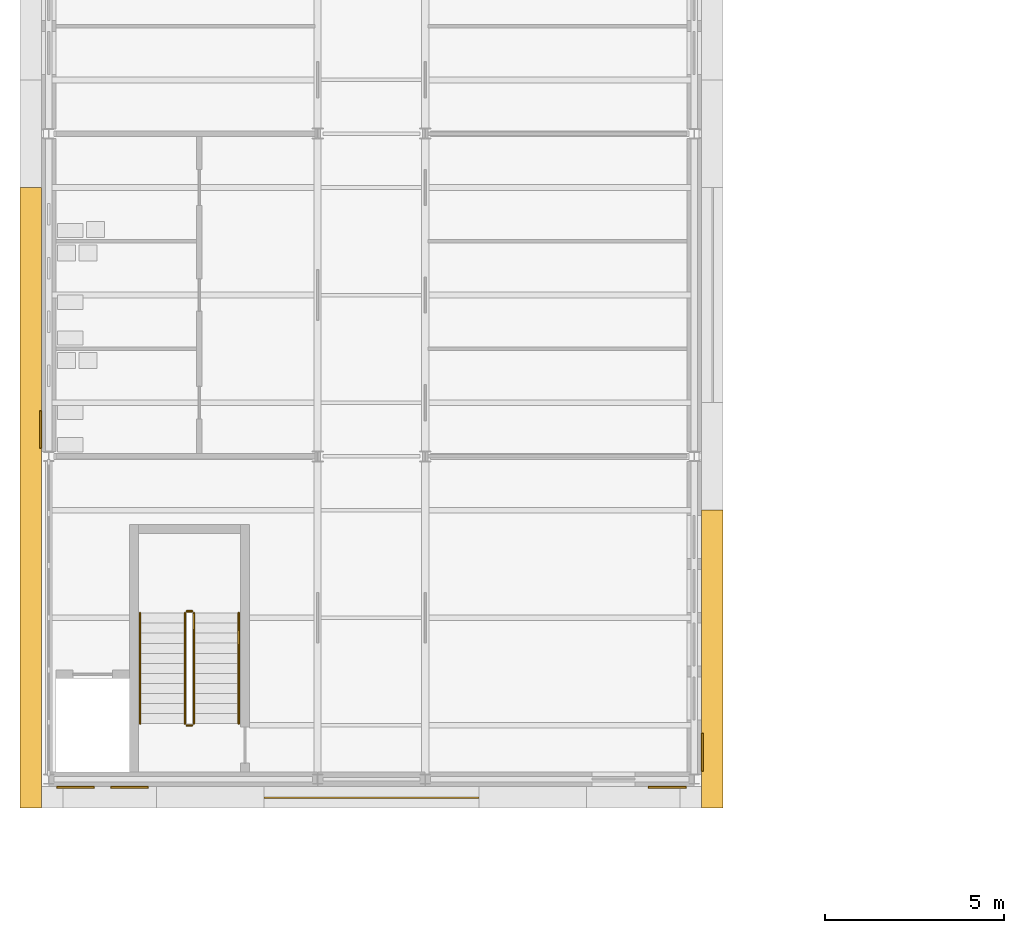
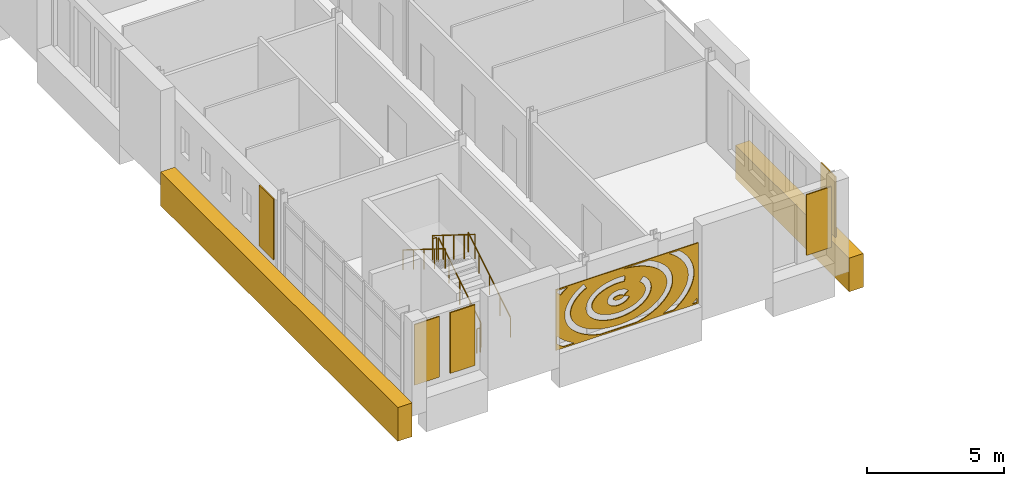
# One storey, part 136 of 154: 8 coverings, 6 railings.
"""IFC4 building model written with IfcOpenShell, lengths in metres."""

from ifc_helpers import new_model, si_unit, direction, frame, origin, origin_2d, place, context, subcontext, project, spatial, polyline, circle, outline, extrude, material, layer, layer_set, type_object, element, save


model = new_model("IFC4")

# Units and contexts
model_context = context("Model", 3, precision=1e-05, world=origin(), true_north=direction((0.0, 1.0)))
body_context = subcontext(model_context, "Body", "Model", "MODEL_VIEW")
ifc_project = project(units=[si_unit("LENGTHUNIT", "METRE"), si_unit("AREAUNIT", "SQUARE_METRE"), si_unit("VOLUMEUNIT", "CUBIC_METRE"), si_unit("PLANEANGLEUNIT", "RADIAN"), si_unit("MASSUNIT", "GRAM", prefix="KILO")], contexts=[model_context])

# Site, building, storey
site_placement = place(None, origin())
site = spatial("IfcSite", under=ifc_project, at=site_placement, CompositionType="ELEMENT")
building_placement = place(site_placement, origin())
building = spatial("IfcBuilding", under=site, at=building_placement, Name="Golden Quay Civic Hall", CompositionType="ELEMENT")
storey_placement = place(building_placement, frame((0.0, 0.0, 14.39990234375)))
storey = spatial("IfcBuildingStorey", under=building, at=storey_placement, Name="L03", CompositionType="ELEMENT", Elevation=14.39990234375)

# Covering
ifc_material_1 = material(Name="Aluminium, golden anodised, perforated", Category="aluminium")
ifc_layer_1 = layer(ifc_material_1, 0.0400390625)
ifc_layer_set_1 = layer_set([ifc_layer_1], Name="Perforated screen panel 6000 x 2700 x 40")
covering_type_1 = type_object("IfcCoveringType", Name="Perforated screen panel 6000 x 2700 x 40", PredefinedType="CLADDING", material=ifc_layer_set_1)
covering_1_placement = place(storey_placement, frame((9.0, -9.5, 1.9501953125), z_axis=(0.0, -1.0, 0.0), x_axis=(1.0, 0.0, 0.0)))
element("IfcCovering", 1, at=covering_1_placement, inside=storey, type_object=covering_type_1, Name="Perforated screen panel 6000 x 2700 x 40 L03 6", PredefinedType="CLADDING", context=body_context, shape_type="SweptSolid", body=[
    extrude(outline(polyline([(-3.0, -1.35009765625), (3.0, -1.35009765625), (3.0, 1.35009765625), (-3.0, 1.35009765625), (-3.0, -1.35009765625)]), holes=[polyline([(-0.14599609375, 0.114013671875), (-0.1875, 0.140625), (-0.248291015625, 0.16259765625), (-0.321533203125, 0.173828125), (-0.372802734375, 0.17431640625), (-0.446533203125, 0.163818359375), (-0.5087890625, 0.142578125), (-0.5517578125, 0.1162109375), (-0.575439453125, 0.088134765625), (-0.577392578125, 0.07763671875), (-0.57177734375, 0.065185546875), (-0.55908203125, 0.050537109375), (-0.53662109375, 0.03271484375), (-0.485107421875, 0.007568359375), (-0.4169921875, -0.009521484375), (-0.36669921875, -0.014404296875), (-0.3154296875, -0.013427734375), (-0.26611328125, -0.006591796875), (-0.22119140625, 0.00537109375), (-0.183349609375, 0.021240234375), (-0.154296875, 0.0390625), (-0.129638671875, 0.063232421875), (-0.120361328125, 0.08154296875), (0.102294921875, -0.019287109375), (0.07421875, -0.07177734375), (0.042236328125, -0.11181640625), (-0.00390625, -0.153564453125), (-0.043701171875, -0.1806640625), (-0.1025390625, -0.210693359375), (-0.176025390625, -0.236083984375), (-0.2216796875, -0.246826171875), (-0.2998046875, -0.25732421875), (-0.372314453125, -0.2587890625), (-0.412109375, -0.25634765625), (-0.49755859375, -0.242919921875), (-0.564453125, -0.223388671875), (-0.599853515625, -0.209716796875), (-0.666015625, -0.174560546875), (-0.705078125, -0.146484375), (-0.7333984375, -0.12109375), (-0.758544921875, -0.093017578125), (-0.780517578125, -0.06201171875), (-0.798583984375, -0.0283203125), (-0.811767578125, 0.008056640625), (-0.821533203125, 0.066162109375), (-0.818359375, 0.123046875), (-0.809326171875, 0.159912109375), (-0.79541015625, 0.195068359375), (-0.777099609375, 0.227294921875), (-0.75537109375, 0.257080078125), (-0.702880859375, 0.30810546875), (-0.6416015625, 0.34912109375), (-0.572998046875, 0.38037109375), (-0.4990234375, 0.402587890625), (-0.460693359375, 0.41015625), (-0.388916015625, 0.41796875), (-0.309326171875, 0.41796875), (-0.262451171875, 0.41357421875), (-0.184814453125, 0.398681640625), (-0.118896484375, 0.37744140625), (-0.075927734375, 0.3583984375), (-0.02001953125, 0.3251953125), (0.018310546875, 0.295166015625), (0.060546875, 0.25048828125), (-0.126220703125, 0.0927734375), (-0.14599609375, 0.114013671875)]), polyline([(-0.282470703125, 0.731689453125), (-0.37158203125, 0.732666015625), (-0.460693359375, 0.7294921875), (-0.548828125, 0.72216796875), (-0.635986328125, 0.710693359375), (-0.720947265625, 0.6953125), (-0.8037109375, 0.676025390625), (-0.883544921875, 0.653076171875), (-0.9599609375, 0.62646484375), (-1.0322265625, 0.596435546875), (-1.100341796875, 0.5634765625), (-1.163330078125, 0.52783203125), (-1.22119140625, 0.48974609375), (-1.273681640625, 0.449462890625), (-1.320068359375, 0.40771484375), (-1.360595703125, 0.364501953125), (-1.394775390625, 0.32080078125), (-1.423095703125, 0.2763671875), (-1.445068359375, 0.231689453125), (-1.46142578125, 0.1875), (-1.471923828125, 0.143310546875), (-1.47705078125, 0.099365234375), (-1.476806640625, 0.055419921875), (-1.470947265625, 0.011474609375), (-1.459716796875, -0.03271484375), (-1.44287109375, -0.0771484375), (-1.419921875, -0.12158203125), (-1.39111328125, -0.166015625), (-1.356201171875, -0.209716796875), (-1.31494140625, -0.252685546875), (-1.267578125, -0.294189453125), (-1.214599609375, -0.334228515625), (-1.15625, -0.372314453125), (-1.092529296875, -0.40771484375), (-1.02392578125, -0.440185546875), (-0.951171875, -0.4697265625), (-0.874267578125, -0.49609375), (-0.794189453125, -0.5185546875), (-0.711181640625, -0.53759765625), (-0.625732421875, -0.552490234375), (-0.53857421875, -0.563232421875), (-0.4501953125, -0.570068359375), (-0.361083984375, -0.57275390625), (-0.27197265625, -0.5712890625), (-0.183349609375, -0.5654296875), (-0.095703125, -0.555419921875), (-0.010009765625, -0.54150390625), (0.07373046875, -0.523681640625), (0.15478515625, -0.501953125), (0.232421875, -0.4765625), (0.306396484375, -0.447998046875), (0.3759765625, -0.416015625), (0.44091796875, -0.381103515625), (0.500732421875, -0.343994140625), (0.55517578125, -0.304443359375), (0.603759765625, -0.26318359375), (0.646484375, -0.220458984375), (0.68310546875, -0.1767578125), (0.71337890625, -0.132568359375), (0.73779296875, -0.088134765625), (0.756103515625, -0.043701171875), (0.768798828125, 0.00048828125), (0.77587890625, 0.04443359375), (0.777587890625, 0.08837890625), (0.773681640625, 0.13232421875), (0.764404296875, 0.176513671875), (0.749755859375, 0.220703125), (0.72900390625, 0.265380859375), (0.702392578125, 0.309814453125), (0.669677734375, 0.353759765625), (0.630615234375, 0.39697265625), (0.585693359375, 0.439208984375), (0.53125, 0.482666015625), (0.683837890625, 0.673583984375), (0.741943359375, 0.627197265625), (0.8017578125, 0.57177734375), (0.855224609375, 0.512939453125), (0.902099609375, 0.45068359375), (0.94189453125, 0.385498046875), (0.974365234375, 0.317626953125), (0.99853515625, 0.247314453125), (1.014404296875, 0.175048828125), (1.021484375, 0.101806640625), (1.019775390625, 0.02783203125), (1.0087890625, -0.04541015625), (0.9892578125, -0.117431640625), (0.9609375, -0.187744140625), (0.9248046875, -0.25537109375), (0.881103515625, -0.320068359375), (0.830322265625, -0.381591796875), (0.765625, -0.4462890625), (0.702392578125, -0.49951171875), (0.640869140625, -0.544189453125), (0.559814453125, -0.5947265625), (0.481201171875, -0.63671875), (0.398193359375, -0.67431640625), (0.311279296875, -0.7080078125), (0.227294921875, -0.7353515625), (0.1279296875, -0.761962890625), (0.0322265625, -0.7822265625), (-0.0654296875, -0.798095703125), (-0.16455078125, -0.80908203125), (-0.264892578125, -0.8154296875), (-0.359619140625, -0.817138671875), (-0.460205078125, -0.814208984375), (-0.56005859375, -0.806884765625), (-0.658935546875, -0.79443359375), (-0.76220703125, -0.776611328125), (-0.851318359375, -0.756103515625), (-0.94384765625, -0.730224609375), (-1.033203125, -0.699951171875), (-1.119140625, -0.665283203125), (-1.2080078125, -0.623046875), (-1.278564453125, -0.583740234375), (-1.351318359375, -0.537109375), (-1.426025390625, -0.480712890625), (-1.48046875, -0.4326171875), (-1.536376953125, -0.374755859375), (-1.585693359375, -0.31396484375), (-1.628173828125, -0.249755859375), (-1.663330078125, -0.182861328125), (-1.690673828125, -0.11328125), (-1.709716796875, -0.041748046875), (-1.72021484375, 0.031494140625), (-1.720703125, 0.1201171875), (-1.71142578125, 0.193115234375), (-1.697509765625, 0.251220703125), (-1.67236328125, 0.322265625), (-1.638916015625, 0.390869140625), (-1.597900390625, 0.456787109375), (-1.5498046875, 0.519287109375), (-1.494873046875, 0.57861328125), (-1.43359375, 0.63427734375), (-1.359619140625, 0.69140625), (-1.287353515625, 0.738525390625), (-1.21044921875, 0.78173828125), (-1.12890625, 0.821044921875), (-1.043701171875, 0.856201171875), (-0.95458984375, 0.886962890625), (-0.8623046875, 0.913330078125), (-0.767578125, 0.935302734375), (-0.670654296875, 0.952880859375), (-0.572021484375, 0.965576171875), (-0.477783203125, 0.973388671875), (-0.377197265625, 0.97705078125), (-0.276611328125, 0.975830078125), (-0.176513671875, 0.97021484375), (-0.0771484375, 0.959716796875), (-0.103271484375, 0.716552734375), (-0.19384765625, 0.726318359375), (-0.282470703125, 0.731689453125)]), polyline([(-1.8857421875, 0.8662109375), (-1.9677734375, 0.805419921875), (-2.04248046875, 0.741943359375), (-2.110107421875, 0.676025390625), (-2.17041015625, 0.6083984375), (-2.222900390625, 0.539306640625), (-2.267822265625, 0.46875), (-2.304931640625, 0.3974609375), (-2.33447265625, 0.32568359375), (-2.356201171875, 0.25341796875), (-2.370361328125, 0.180908203125), (-2.377197265625, 0.1083984375), (-2.376220703125, 0.035888671875), (-2.367919921875, -0.03662109375), (-2.35205078125, -0.109130859375), (-2.32861328125, -0.181396484375), (-2.297607421875, -0.2529296875), (-2.2587890625, -0.32421875), (-2.212158203125, -0.394287109375), (-2.157958984375, -0.46337890625), (-2.09619140625, -0.530517578125), (-2.02685546875, -0.595947265625), (-1.950439453125, -0.65869140625), (-1.8671875, -0.718994140625), (-1.777099609375, -0.776123046875), (-1.68115234375, -0.829833984375), (-1.5791015625, -0.8798828125), (-1.471923828125, -0.92578125), (-1.359619140625, -0.9677734375), (-1.2431640625, -1.00537109375), (-1.12255859375, -1.0380859375), (-0.998779296875, -1.066162109375), (-0.8720703125, -1.08935546875), (-0.7431640625, -1.107421875), (-0.612548828125, -1.120361328125), (-0.480712890625, -1.128173828125), (-0.348388671875, -1.130859375), (-0.216064453125, -1.128173828125), (-0.084228515625, -1.1201171875), (0.04638671875, -1.107177734375), (0.17529296875, -1.0888671875), (0.302001953125, -1.065673828125), (0.42578125, -1.037353515625), (0.546142578125, -1.00439453125), (0.66259765625, -0.966796875), (0.774658203125, -0.9248046875), (0.8818359375, -0.878662109375), (0.9833984375, -0.82861328125), (1.07958984375, -0.774658203125), (1.169189453125, -0.717529296875), (1.25244140625, -0.6572265625), (1.32861328125, -0.59423828125), (1.397705078125, -0.52880859375), (1.45947265625, -0.461669921875), (1.513427734375, -0.392578125), (1.559814453125, -0.322509765625), (1.598388671875, -0.251220703125), (1.62939453125, -0.179443359375), (1.652587890625, -0.107421875), (1.668212890625, -0.034912109375), (1.676513671875, 0.03759765625), (1.677001953125, 0.110107421875), (1.670166015625, 0.1826171875), (1.65576171875, 0.255126953125), (1.6337890625, 0.327392578125), (1.604248046875, 0.3994140625), (1.56689453125, 0.470458984375), (1.521728515625, 0.541015625), (1.468994140625, 0.610107421875), (1.40869140625, 0.677734375), (1.3408203125, 0.743408203125), (1.265625, 0.806884765625), (1.18359375, 0.86767578125), (1.094970703125, 0.92529296875), (1.0, 0.979736328125), (0.899169921875, 1.030517578125), (0.79296875, 1.077392578125), (0.681640625, 1.1201171875), (0.56591796875, 1.158447265625), (0.446044921875, 1.192138671875), (0.322998046875, 1.22119140625), (0.19677734375, 1.245361328125), (0.068115234375, 1.264404296875), (-0.062255859375, 1.2783203125), (-0.19384765625, 1.287109375), (-0.300537109375, 1.2900390625), (0.91650390625, 1.2900390625), (1.00634765625, 1.250244140625), (1.11865234375, 1.193359375), (1.219482421875, 1.1357421875), (1.320068359375, 1.0703125), (1.414306640625, 1.0009765625), (1.501708984375, 0.927490234375), (1.581787109375, 0.85009765625), (1.654541015625, 0.769287109375), (1.71923828125, 0.685302734375), (1.775634765625, 0.597900390625), (1.827880859375, 0.49755859375), (1.862060546875, 0.4150390625), (1.891357421875, 0.3203125), (1.9111328125, 0.22412109375), (1.9208984375, 0.126953125), (1.919921875, 0.0166015625), (1.908447265625, -0.080322265625), (1.88720703125, -0.176513671875), (1.856201171875, -0.270751953125), (1.82080078125, -0.35302734375), (1.7666015625, -0.45263671875), (1.708984375, -0.53955078125), (1.642822265625, -0.623291015625), (1.56884765625, -0.70361328125), (1.49365234375, -0.774658203125), (1.39892578125, -0.852783203125), (1.3037109375, -0.921630859375), (1.2021484375, -0.986083984375), (1.094482421875, -1.04638671875), (0.981201171875, -1.101806640625), (0.863037109375, -1.152587890625), (0.740234375, -1.198486328125), (0.61328125, -1.239501953125), (0.4169921875, -1.2900390625), (-1.1171875, -1.2900390625), (-1.31005859375, -1.240478515625), (-1.437255859375, -1.19970703125), (-1.56005859375, -1.15380859375), (-1.678466796875, -1.103271484375), (-1.791748046875, -1.0478515625), (-1.8994140625, -0.98779296875), (-2.001220703125, -0.92333984375), (-2.0966796875, -0.854736328125), (-2.185302734375, -0.781982421875), (-2.26708984375, -0.705322265625), (-2.341064453125, -0.625244140625), (-2.4130859375, -0.53369140625), (-2.46533203125, -0.454833984375), (-2.514892578125, -0.365234375), (-2.555419921875, -0.273193359375), (-2.58642578125, -0.1787109375), (-2.610107421875, -0.070556640625), (-2.62060546875, 0.02685546875), (-2.62109375, 0.12451171875), (-2.611328125, 0.2216796875), (-2.592041015625, 0.318115234375), (-2.56298828125, 0.41259765625), (-2.5244140625, 0.50537109375), (-2.476806640625, 0.595703125), (-2.426513671875, 0.6748046875), (-2.356201171875, 0.767333984375), (-2.28369140625, 0.848388671875), (-2.203857421875, 0.925537109375), (-2.11669921875, 0.999267578125), (-2.0224609375, 1.068603515625), (-1.922119140625, 1.134033203125), (-1.8212890625, 1.19189453125), (-1.69970703125, 0.97998046875), (-1.79736328125, 0.923828125), (-1.8857421875, 0.8662109375)]), polyline([(-2.93994140625, -0.73876953125), (-2.83935546875, -0.84619140625), (-2.750732421875, -0.927490234375), (-2.65478515625, -1.00634765625), (-2.55126953125, -1.081787109375), (-2.44091796875, -1.154052734375), (-2.32373046875, -1.22265625), (-2.19482421875, -1.2900390625), (-2.6796875, -1.2900390625), (-2.69287109375, -1.281005859375), (-2.806884765625, -1.197509765625), (-2.93994140625, -1.085693359375), (-2.93994140625, -0.73876953125)]), polyline([(1.564697265625, -1.254638671875), (1.684814453125, -1.187744140625), (1.798583984375, -1.1171875), (1.905517578125, -1.043212890625), (2.005126953125, -0.966064453125), (2.097412109375, -0.885986328125), (2.18212890625, -0.80322265625), (2.2587890625, -0.718017578125), (2.327392578125, -0.631103515625), (2.387939453125, -0.542236328125), (2.43994140625, -0.4521484375), (2.48388671875, -0.361083984375), (2.519287109375, -0.268798828125), (2.546142578125, -0.176513671875), (2.56494140625, -0.08349609375), (2.5751953125, 0.010009765625), (2.577392578125, 0.103271484375), (2.5712890625, 0.196533203125), (2.556640625, 0.28955078125), (2.533935546875, 0.38232421875), (2.502685546875, 0.474853515625), (2.463134765625, 0.56640625), (2.4150390625, 0.656982421875), (2.35888671875, 0.74658203125), (2.294189453125, 0.83447265625), (2.2216796875, 0.920654296875), (2.14111328125, 1.004638671875), (2.052490234375, 1.086181640625), (1.95654296875, 1.164794921875), (1.853271484375, 1.240478515625), (1.77783203125, 1.2900390625), (2.189208984375, 1.2900390625), (2.314697265625, 1.176513671875), (2.406005859375, 1.081298828125), (2.489013671875, 0.982421875), (2.55859375, 0.8876953125), (2.62451171875, 0.783203125), (2.681396484375, 0.676513671875), (2.72900390625, 0.567138671875), (2.76708984375, 0.455810546875), (2.79541015625, 0.343017578125), (2.814697265625, 0.218017578125), (2.822021484375, 0.103271484375), (2.81884765625, -0.01171875), (2.8056640625, -0.126220703125), (2.784912109375, -0.229736328125), (2.75244140625, -0.34228515625), (2.710205078125, -0.453369140625), (2.65380859375, -0.570556640625), (2.59228515625, -0.676025390625), (2.52197265625, -0.779052734375), (2.443115234375, -0.878662109375), (2.355712890625, -0.97509765625), (2.260498046875, -1.068115234375), (2.162841796875, -1.15283203125), (2.052490234375, -1.238525390625), (1.978515625, -1.2900390625), (1.493408203125, -1.2900390625), (1.564697265625, -1.254638671875)]), polyline([(-2.478271484375, 1.2900390625), (-2.603515625, 1.20458984375), (-2.703369140625, 1.127685546875), (-2.798583984375, 1.045166015625), (-2.93994140625, 1.208251953125), (-2.93994140625, 1.245849609375), (-2.88916015625, 1.2900390625), (-2.478271484375, 1.2900390625)]), polyline([(2.835693359375, -1.205322265625), (2.9345703125, -1.110107421875), (2.93994140625, -1.104248046875), (2.93994140625, -1.2900390625), (2.73779296875, -1.2900390625), (2.835693359375, -1.205322265625)])]), origin(), (0.0, 0.0, 1.0), 0.0400390625),
])

# Railings
ifc_material_2 = material(Name="Steel S355", Category="steel")
railing_type_1 = type_object("IfcRailingType", Name="Steel guard 1100", PredefinedType="GUARDRAIL", material=ifc_material_2)
railing_1_placement = place(storey_placement, frame((4.050048828125, -7.449951171875, 0.175048828125)))
element("IfcRailing", 2, at=railing_1_placement, inside=storey, type_object=railing_type_1, Name="L03 WO-S stair guard 1", PredefinedType="GUARDRAIL", context=body_context, shape_type="SweptSolid", body=[
    extrude(circle(Radius=0.02392578125, at=origin_2d()), frame((0.0, 0.0, 1.076171875), z_axis=(0.0, 0.847979421464, 0.530029150871), x_axis=(-1.0, 0.0, 0.0)), (0.0, 0.0, 1.0), 3.632080078125),
    extrude(circle(Radius=0.02099609375, at=origin_2d()), origin(), (0.0, 0.0, 1.0), 1.052001953125),
    extrude(circle(Radius=0.02099609375, at=origin_2d()), frame((0.0, 0.77001953125, 0.481201171875)), (0.0, 0.0, 1.0), 1.052001953125),
    extrude(circle(Radius=0.02099609375, at=origin_2d()), frame((0.0, 1.5400390625, 0.96240234375)), (0.0, 0.0, 1.0), 1.052001953125),
    extrude(circle(Radius=0.02099609375, at=origin_2d()), frame((0.0, 2.309814453125, 1.44384765625)), (0.0, 0.0, 1.0), 1.052001953125),
    extrude(circle(Radius=0.02099609375, at=origin_2d()), frame((0.0, 3.079833984375, 1.925048828125)), (0.0, 0.0, 1.0), 1.052001953125),
])
railing_2_placement = place(storey_placement, frame((4.0, -4.320068359375, 2.10009765625)))
element("IfcRailing", 3, at=railing_2_placement, inside=storey, type_object=railing_type_1, Name="L03 WO-S stair guard 2", PredefinedType="GUARDRAIL", context=body_context, shape_type="SweptSolid", body=[
    extrude(circle(Radius=0.02392578125, at=origin_2d()), frame((0.0, 0.0, 1.076171875), z_axis=(-1.0, 0.0, 0.0), x_axis=(0.0, -1.0, 0.0)), (0.0, 0.0, 1.0), 0.14990234375),
    extrude(circle(Radius=0.02099609375, at=origin_2d()), origin(), (0.0, 0.0, 1.0), 1.052001953125),
    extrude(circle(Radius=0.02099609375, at=origin_2d()), frame((-0.14990234375, 0.0, 0.0)), (0.0, 0.0, 1.0), 1.052001953125),
])
railing_3_placement = place(storey_placement, frame((3.800048828125, -4.3701171875, 2.275146484375)))
element("IfcRailing", 4, at=railing_3_placement, inside=storey, type_object=railing_type_1, Name="L03 WO-S stair guard 3", PredefinedType="GUARDRAIL", context=body_context, shape_type="SweptSolid", body=[
    extrude(circle(Radius=0.02392578125, at=origin_2d()), frame((0.0, 0.0, 1.076171875), z_axis=(0.0, -0.847979421464, 0.530029150871), x_axis=(1.0, 0.0, 0.0)), (0.0, 0.0, 1.0), 3.632080078125),
    extrude(circle(Radius=0.02099609375, at=origin_2d()), origin(), (0.0, 0.0, 1.0), 1.052001953125),
    extrude(circle(Radius=0.02099609375, at=origin_2d()), frame((0.0, -0.77001953125, 0.481201171875)), (0.0, 0.0, 1.0), 1.052001953125),
    extrude(circle(Radius=0.02099609375, at=origin_2d()), frame((0.0, -1.5400390625, 0.96240234375)), (0.0, 0.0, 1.0), 1.052001953125),
    extrude(circle(Radius=0.02099609375, at=origin_2d()), frame((0.0, -2.309814453125, 1.44384765625)), (0.0, 0.0, 1.0), 1.052001953125),
    extrude(circle(Radius=0.02099609375, at=origin_2d()), frame((0.0, -3.079833984375, 1.925048828125)), (0.0, 0.0, 1.0), 1.052001953125),
])
railing_4_placement = place(storey_placement, frame((4.0, -7.5, 0.0)))
element("IfcRailing", 5, at=railing_4_placement, inside=storey, type_object=railing_type_1, Name="L03 WO-S stair guard 4", PredefinedType="GUARDRAIL", context=body_context, shape_type="SweptSolid", body=[
    extrude(circle(Radius=0.02392578125, at=origin_2d()), frame((0.0, 0.0, 1.076171875), z_axis=(-1.0, 0.0, 0.0), x_axis=(0.0, -1.0, 0.0)), (0.0, 0.0, 1.0), 0.14990234375),
    extrude(circle(Radius=0.02099609375, at=origin_2d()), origin(), (0.0, 0.0, 1.0), 1.052001953125),
    extrude(circle(Radius=0.02099609375, at=origin_2d()), frame((-0.14990234375, 0.0, 0.0)), (0.0, 0.0, 1.0), 1.052001953125),
])
ifc_material_3 = material(Name="Steel S355", Category="steel")
railing_type_2 = type_object("IfcRailingType", Name="Steel handrail 900", PredefinedType="HANDRAIL", material=ifc_material_3)
railing_5_placement = place(storey_placement, frame((5.300048828125, -7.449951171875, 0.175048828125)))
element("IfcRailing", 6, at=railing_5_placement, inside=storey, type_object=railing_type_2, Name="L03 WO-S stair handrail 1", PredefinedType="HANDRAIL", context=body_context, shape_type="SweptSolid", body=[
    extrude(circle(Radius=0.02392578125, at=origin_2d()), frame((0.0, 0.0, 0.8759765625), z_axis=(0.0, 0.847979421464, 0.530029150871), x_axis=(-1.0, 0.0, 0.0)), (0.0, 0.0, 1.0), 3.632080078125),
    extrude(circle(Radius=0.02099609375, at=origin_2d()), origin(), (0.0, 0.0, 1.0), 0.851806640625),
    extrude(circle(Radius=0.02099609375, at=origin_2d()), frame((0.0, 0.77001953125, 0.481201171875)), (0.0, 0.0, 1.0), 0.851806640625),
    extrude(circle(Radius=0.02099609375, at=origin_2d()), frame((0.0, 1.5400390625, 0.96240234375)), (0.0, 0.0, 1.0), 0.851806640625),
    extrude(circle(Radius=0.02099609375, at=origin_2d()), frame((0.0, 2.309814453125, 1.44384765625)), (0.0, 0.0, 1.0), 0.851806640625),
    extrude(circle(Radius=0.02099609375, at=origin_2d()), frame((0.0, 3.079833984375, 1.925048828125)), (0.0, 0.0, 1.0), 0.851806640625),
])
railing_6_placement = place(storey_placement, frame((2.550048828125, -4.3701171875, 2.275146484375)))
element("IfcRailing", 7, at=railing_6_placement, inside=storey, type_object=railing_type_2, Name="L03 WO-S stair handrail 2", PredefinedType="HANDRAIL", context=body_context, shape_type="SweptSolid", body=[
    extrude(circle(Radius=0.02392578125, at=origin_2d()), frame((0.0, 0.0, 0.8759765625), z_axis=(0.0, -0.847979421464, 0.530029150871), x_axis=(1.0, 0.0, 0.0)), (0.0, 0.0, 1.0), 3.632080078125),
    extrude(circle(Radius=0.02099609375, at=origin_2d()), origin(), (0.0, 0.0, 1.0), 0.851806640625),
    extrude(circle(Radius=0.02099609375, at=origin_2d()), frame((0.0, -0.77001953125, 0.481201171875)), (0.0, 0.0, 1.0), 0.851806640625),
    extrude(circle(Radius=0.02099609375, at=origin_2d()), frame((0.0, -1.5400390625, 0.96240234375)), (0.0, 0.0, 1.0), 0.851806640625),
    extrude(circle(Radius=0.02099609375, at=origin_2d()), frame((0.0, -2.309814453125, 1.44384765625)), (0.0, 0.0, 1.0), 0.851806640625),
    extrude(circle(Radius=0.02099609375, at=origin_2d()), frame((0.0, -3.079833984375, 1.925048828125)), (0.0, 0.0, 1.0), 0.851806640625),
])

# Coverings
ifc_material_4 = material(Name="Terracotta cladding, golden glaze", Category="masonry")
ifc_layer_2 = layer(ifc_material_4, 0.050048828125)
ifc_layer_set_2 = layer_set([ifc_layer_2], Name="Terracotta solid panel 1050 x 2700 x 50")
covering_type_2 = type_object("IfcCoveringType", Name="Terracotta solid panel 1050 x 2700 x 50", PredefinedType="CLADDING", material=ifc_layer_set_2)
covering_2_placement = place(storey_placement, frame((0.0, 0.0, 0.900146484375)))
element("IfcCovering", 8, at=covering_2_placement, inside=storey, type_object=covering_type_2, Name="Terracotta solid panel 1050 x 2700 x 50 L03 1", PredefinedType="CLADDING", context=body_context, shape_type="SweptSolid", body=[
    extrude(outline(polyline([(-0.199951171875, 0.22509765625), (-0.199951171875, 1.27490234375), (-0.25, 1.27490234375), (-0.25, 0.22509765625), (-0.199951171875, 0.22509765625)])), origin(), (0.0, 0.0, 1.0), 2.699951171875),
])
covering_3_placement = place(storey_placement, frame((0.0, 0.0, 0.900146484375)))
element("IfcCovering", 9, at=covering_3_placement, inside=storey, type_object=covering_type_2, Name="Terracotta solid panel 1050 x 2700 x 50 L03 7", PredefinedType="CLADDING", context=body_context, shape_type="SweptSolid", body=[
    extrude(outline(polyline([(18.199951171875, -8.77490234375), (18.199951171875, -7.72509765625), (18.25, -7.72509765625), (18.25, -8.77490234375), (18.199951171875, -8.77490234375)])), origin(), (0.0, 0.0, 1.0), 2.699951171875),
])
covering_4_placement = place(storey_placement, frame((0.0, 0.0, 0.900146484375)))
element("IfcCovering", 10, at=covering_4_placement, inside=storey, type_object=covering_type_2, Name="Terracotta solid panel 1050 x 2700 x 50 L03 9", PredefinedType="CLADDING", context=body_context, shape_type="SweptSolid", body=[
    extrude(outline(polyline([(0.22509765625, -9.199951171875), (1.27490234375, -9.199951171875), (1.27490234375, -9.25), (0.22509765625, -9.25), (0.22509765625, -9.199951171875)])), origin(), (0.0, 0.0, 1.0), 2.699951171875),
])
covering_5_placement = place(storey_placement, frame((0.0, 0.0, 0.900146484375)))
element("IfcCovering", 11, at=covering_5_placement, inside=storey, type_object=covering_type_2, Name="Terracotta solid panel 1050 x 2700 x 50 L03 10", PredefinedType="CLADDING", context=body_context, shape_type="SweptSolid", body=[
    extrude(outline(polyline([(1.72509765625, -9.199951171875), (2.77490234375, -9.199951171875), (2.77490234375, -9.25), (1.72509765625, -9.25), (1.72509765625, -9.199951171875)])), origin(), (0.0, 0.0, 1.0), 2.699951171875),
])
covering_6_placement = place(storey_placement, frame((0.0, 0.0, 0.900146484375)))
element("IfcCovering", 12, at=covering_6_placement, inside=storey, type_object=covering_type_2, Name="Terracotta solid panel 1050 x 2700 x 50 L03 11", PredefinedType="CLADDING", context=body_context, shape_type="SweptSolid", body=[
    extrude(outline(polyline([(16.72509765625, -9.199951171875), (17.77490234375, -9.199951171875), (17.77490234375, -9.25), (16.72509765625, -9.25), (16.72509765625, -9.199951171875)])), origin(), (0.0, 0.0, 1.0), 2.699951171875),
])
ifc_material_5 = material(Name="Terracotta cladding, golden glaze", Category="masonry")
covering_type_3 = type_object("IfcCoveringType", Name="Terracotta spandrel fascia 600 x 1500", PredefinedType="CLADDING", material=ifc_material_5)
covering_7_placement = place(storey_placement, frame((0.0, 0.0, -0.89990234375)))
element("IfcCovering", 13, at=covering_7_placement, inside=storey, type_object=covering_type_3, Name="Terracotta spandrel fascia 600 x 1500 L03 2", PredefinedType="CLADDING", context=body_context, shape_type="SweptSolid", body=[
    extrude(outline(polyline([(-0.199951171875, -9.199951171875), (-0.199951171875, -9.800048828125), (-0.800048828125, -9.800048828125), (-0.800048828125, 7.5), (-0.199951171875, 7.5), (-0.199951171875, -9.199951171875)])), origin(), (0.0, 0.0, 1.0), 1.5),
])
covering_8_placement = place(storey_placement, frame((0.0, 0.0, -0.89990234375)))
element("IfcCovering", 14, at=covering_8_placement, inside=storey, type_object=covering_type_3, Name="Terracotta spandrel fascia 600 x 1500 L03 3", PredefinedType="CLADDING", context=body_context, shape_type="SweptSolid", body=[
    extrude(outline(polyline([(18.199951171875, -1.5), (18.800048828125, -1.5), (18.800048828125, -9.800048828125), (18.199951171875, -9.800048828125), (18.199951171875, -9.199951171875), (18.199951171875, -1.5)])), origin(), (0.0, 0.0, 1.0), 1.5),
])

save(model, "model.ifc")
